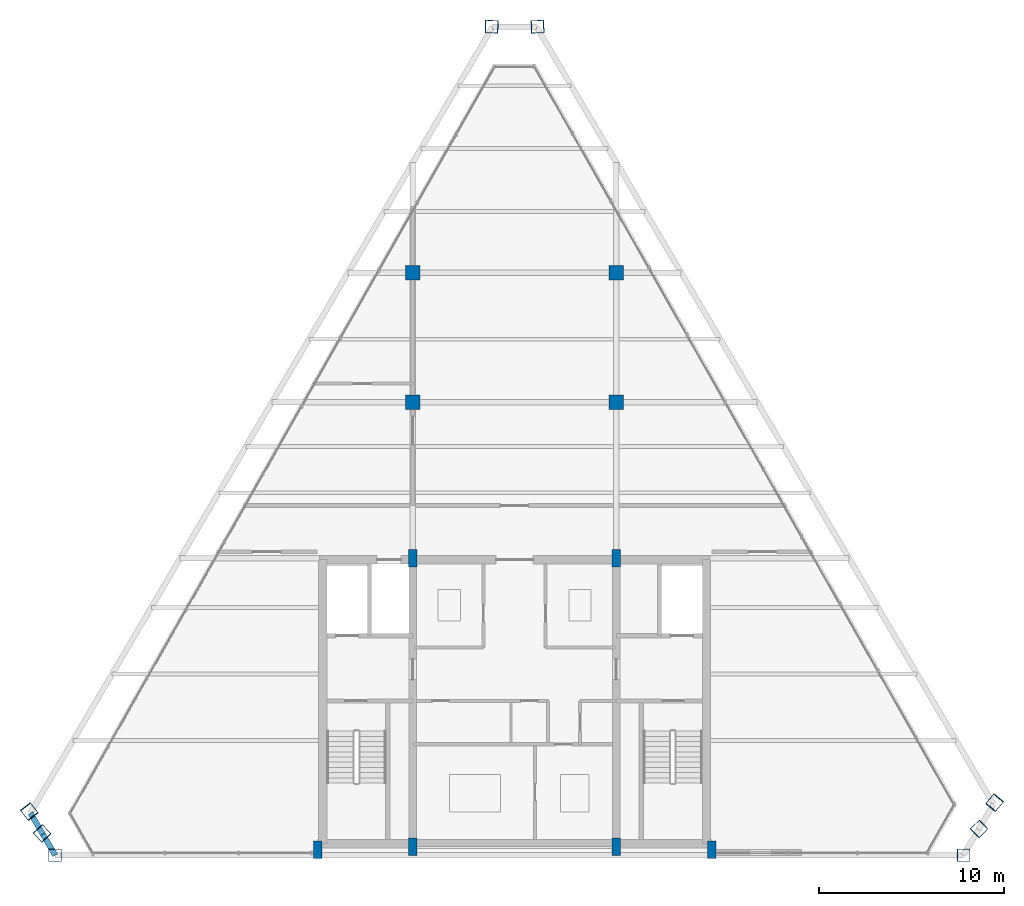
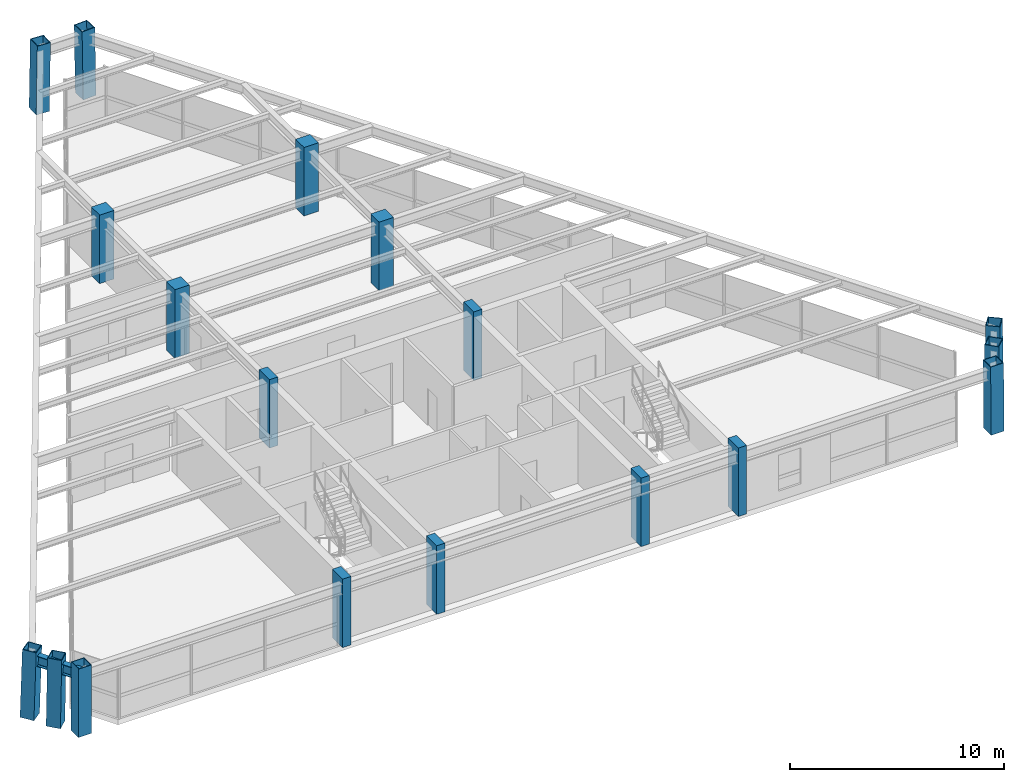
# One storey, part 1 of 12: 18 columns, 2 beams.
"""IFC4 building model written with IfcOpenShell, lengths in metres."""

from ifc_helpers import new_model, si_unit, direction, frame, origin, origin_2d, place, context, subcontext, project, spatial, rectangle, hollow_rectangle, i_section, extrude, source, transform, mapped, material, material_profile, profile_set, type_object, element, save


model = new_model("IFC4")

# Units and contexts
model_context = context("Model", 3, precision=1e-05, world=origin(), true_north=direction((0.0, 1.0)))
body_context = subcontext(model_context, "Body", "Model", "MODEL_VIEW")
ifc_project = project(units=[si_unit("LENGTHUNIT", "METRE"), si_unit("AREAUNIT", "SQUARE_METRE"), si_unit("VOLUMEUNIT", "CUBIC_METRE"), si_unit("PLANEANGLEUNIT", "RADIAN"), si_unit("MASSUNIT", "GRAM", prefix="KILO")], contexts=[model_context])

# Site, building, storey
site_placement = place(None, origin())
site = spatial("IfcSite", under=ifc_project, at=site_placement, CompositionType="ELEMENT")
building_placement = place(site_placement, origin())
building = spatial("IfcBuilding", under=site, at=building_placement, Name="Varnakhor Terracotta Tower", CompositionType="ELEMENT")
storey_placement = place(building_placement, frame((0.0, 0.0, 309.699951171875)))
storey = spatial("IfcBuildingStorey", under=building, at=storey_placement, Name="L81 Crown", CompositionType="ELEMENT", Elevation=309.699951171875)

# Columns
ifc_material_1 = material(Name="Concrete C50/60", Category="concrete")
ifc_material_profile_1 = material_profile(ifc_material_1, rectangle(XDim=0.449951171875, YDim=0.949951171875, at=origin_2d()), Name="RC PILASTER 950x450")
ifc_profile_set_1 = profile_set([ifc_material_profile_1], Name="Concrete C50/60")
column_type_1 = type_object("IfcColumnType", Name="COL-PIL-950x450", PredefinedType="PILASTER", material=ifc_profile_set_1)
shared_shape_1 = source(origin(), body_context, "Body", "SweptSolid", [
    extrude(rectangle(XDim=0.449951171875, YDim=0.949951171875, at=origin_2d()), origin(), (0.0, 0.0, 1.0), 3.900146484375),
])
for number, where, z_axis, x_axis, name in (
    (1, (-10.64990234375, 0.300048828125, 0.0), (0.0, 0.0, 1.0), (1.0, 0.0, 0.0), "L81 Crown Core Pilaster CP1"),
    (2, (-5.5, 0.449951171875, 0.0), (0.0, 0.0, 1.0), (1.0, 0.0, 0.0), "L81 Crown Core Pilaster CP2"),
    (3, (5.5, 0.449951171875, 0.0), (0.0, 0.0, 1.0), (1.0, 0.0, 0.0), "L81 Crown Core Pilaster CP3"),
    (4, (10.64990234375, 0.300048828125, 0.0), (0.0, 0.0, 1.0), (1.0, 0.0, 0.0), "L81 Crown Core Pilaster CP4"),
    (5, (-5.5, 16.050048828125, 0.0), (0.0, 0.0, 1.0), (1.0, 0.0, 0.0), "L81 Crown Core Pilaster CP5"),
    (6, (5.5, 16.050048828125, 0.0), (0.0, 0.0, 1.0), (1.0, 0.0, 0.0), "L81 Crown Core Pilaster CP6"),
):
    element("IfcColumn", number, at=place(storey_placement, frame(where, z_axis=z_axis, x_axis=x_axis)), inside=storey, type_object=column_type_1, Name=name, PredefinedType="PILASTER", context=body_context, shape_type="MappedRepresentation", body=[
        mapped(shared_shape_1, transform((0.0, 0.0, 0.0), scale=1.0)),
    ])
ifc_material_2 = material(Name="Steel S355", Category="steel")
ifc_material_profile_2 = material_profile(ifc_material_2, hollow_rectangle(XDim=0.699951171875, YDim=0.699951171875, WallThickness=0.035888671875, at=origin_2d()), Name="BOX 700x700x36")
ifc_profile_set_2 = profile_set([ifc_material_profile_2], Name="Steel S355")
column_type_2 = type_object("IfcColumnType", Name="COL-MEGA-700", PredefinedType="COLUMN", material=ifc_profile_set_2)
shared_shape_2 = source(origin(), body_context, "Body", "SweptSolid", [
    extrude(hollow_rectangle(XDim=0.699951171875, YDim=0.699951171875, WallThickness=0.035888671875, at=origin_2d()), origin(), (0.0, 0.0, 1.0), 3.891357421875),
])
for number, where, z_axis, x_axis, name in (
    (7, (-24.847412109375, 0.0, 0.00439453125), (0.003576111144, 0.0, 0.999993605694), (0.0, 1.0, 0.0), "L81 Crown Perimeter Mega-Column M1"),
    (8, (24.27880859375, 0.0, 0.00439453125), (-0.004579913068, 0.0, 0.999989512143), (0.0, -1.0, 0.0), "L81 Crown Perimeter Mega-Column M2"),
):
    element("IfcColumn", number, at=place(storey_placement, frame(where, z_axis=z_axis, x_axis=x_axis)), inside=storey, type_object=column_type_2, Name=name, PredefinedType="COLUMN", context=body_context, shape_type="MappedRepresentation", body=[
        mapped(shared_shape_2, transform((0.0, 0.0, 0.0), scale=1.0)),
    ])
shared_shape_3 = source(origin(), body_context, "Body", "SweptSolid", [
    extrude(hollow_rectangle(XDim=0.699951171875, YDim=0.699951171875, WallThickness=0.035888671875, at=origin_2d()), origin(), (0.0, 0.0, 1.0), 3.891845703125),
])
for number, where, z_axis, x_axis, name in (
    (9, (25.120361328125, 1.42822265625, 0.00439453125), (-0.011793387664, -0.011354272166, 0.999865989276), (0.693568046127, -0.720391119734, 0.0), "L81 Crown Perimeter Mega-Column M3"),
    (10, (1.249267578125, 44.789794921875, 0.00439453125), (-0.01612187451, -0.000564579263, 0.99986987474), (0.034998001714, -0.999387382288, 0.0), "L81 Crown Perimeter Mega-Column M5"),
    (11, (-1.249267578125, 44.789794921875, 0.00439453125), (0.01612187451, -0.000564579263, 0.99986987474), (0.034998001714, 0.999387382288, 0.0), "L81 Crown Perimeter Mega-Column M6"),
    (12, (-25.546875, 1.18701171875, 0.00439453125), (0.011040632316, -0.011981595297, 0.999867264097), (0.73539361657, 0.677640191185, 0.0), "L81 Crown Perimeter Mega-Column M8"),
):
    element("IfcColumn", number, at=place(storey_placement, frame(where, z_axis=z_axis, x_axis=x_axis)), inside=storey, type_object=column_type_2, Name=name, PredefinedType="COLUMN", context=body_context, shape_type="MappedRepresentation", body=[
        mapped(shared_shape_3, transform((0.0, 0.0, 0.0), scale=1.0)),
    ])
shared_shape_4 = source(origin(), body_context, "Body", "SweptSolid", [
    extrude(hollow_rectangle(XDim=0.699951171875, YDim=0.699951171875, WallThickness=0.035888671875, at=origin_2d()), origin(), (0.0, 0.0, 1.0), 3.89306640625),
])
for number, where, z_axis, x_axis, name in (
    (13, (25.962158203125, 2.8564453125, 0.00439453125), (-0.019001616192, -0.022764312468, 0.999560265647), (0.767700973976, -0.640808251005, 0.0), "L81 Crown Perimeter Mega-Column M4"),
    (14, (-26.246337890625, 2.3740234375, 0.00439453125), (0.018499610224, -0.023892716933, 0.999543346984), (0.790691300959, 0.612215049299, 0.0), "L81 Crown Perimeter Mega-Column M7"),
):
    element("IfcColumn", number, at=place(storey_placement, frame(where, z_axis=z_axis, x_axis=x_axis)), inside=storey, type_object=column_type_2, Name=name, PredefinedType="COLUMN", context=body_context, shape_type="MappedRepresentation", body=[
        mapped(shared_shape_4, transform((0.0, 0.0, 0.0), scale=1.0)),
    ])
ifc_material_profile_3 = material_profile(ifc_material_1, rectangle(XDim=0.780029296875, YDim=0.780029296875, at=origin_2d()), Name="RC 780x780")
ifc_profile_set_3 = profile_set([ifc_material_profile_3], Name="Concrete C50/60")
column_type_3 = type_object("IfcColumnType", Name="COL-RC-780", PredefinedType="COLUMN", material=ifc_profile_set_3)
shared_shape_5 = source(origin(), body_context, "Body", "SweptSolid", [
    extrude(rectangle(XDim=0.780029296875, YDim=0.780029296875, at=origin_2d()), origin(), (0.0, 0.0, 1.0), 3.900146484375),
])
for number, where, z_axis, x_axis, name in (
    (15, (-5.5, 24.5, 0.0), (0.0, 0.0, 1.0), (1.0, 0.0, 0.0), "L81 Crown Interior Tower Column IC1"),
    (16, (5.5, 24.5, 0.0), (0.0, 0.0, 1.0), (1.0, 0.0, 0.0), "L81 Crown Interior Tower Column IC2"),
    (17, (-5.5, 31.5, 0.0), (0.0, 0.0, 1.0), (1.0, 0.0, 0.0), "L81 Crown Interior Tower Column IC3"),
    (18, (5.5, 31.5, 0.0), (0.0, 0.0, 1.0), (1.0, 0.0, 0.0), "L81 Crown Interior Tower Column IC4"),
):
    element("IfcColumn", number, at=place(storey_placement, frame(where, z_axis=z_axis, x_axis=x_axis)), inside=storey, type_object=column_type_3, Name=name, PredefinedType="COLUMN", context=body_context, shape_type="MappedRepresentation", body=[
        mapped(shared_shape_5, transform((0.0, 0.0, 0.0), scale=1.0)),
    ])

# Beams
ifc_material_profile_4 = material_profile(ifc_material_2, i_section(OverallWidth=0.300048828125, OverallDepth=0.60009765625, WebThickness=0.015380859375, FlangeThickness=0.030029296875, FilletRadius=0.01806640625, at=origin_2d()), Name="HEB600")
ifc_profile_set_4 = profile_set([ifc_material_profile_4], Name="Steel S355")
beam_type = type_object("IfcBeamType", Name="BM-HEB600", PredefinedType="BEAM", material=ifc_profile_set_4)
shared_shape_6 = source(origin(), body_context, "Body", "SweptSolid", [
    extrude(i_section(OverallWidth=0.300048828125, OverallDepth=0.60009765625, WebThickness=0.015380859375, FlangeThickness=0.030029296875, FilletRadius=0.01806640625, at=origin_2d()), origin(), (0.0, 0.0, 1.0), 1.32275390625),
])
for number, where, z_axis, x_axis, name in (
    (19, (-26.17431640625, 2.28076171875, 3.300048828125), (0.50679427558, -0.862067028855, 0.0), (0.862067028855, 0.50679427558, 0.0), "L81 Crown Perimeter Spandrel 7"),
    (20, (-25.50390625, 1.140380859375, 3.300048828125), (0.50679427558, -0.862067028855, 0.0), (0.862067028855, 0.50679427558, 0.0), "L81 Crown Perimeter Spandrel 8"),
):
    element("IfcBeam", number, at=place(storey_placement, frame(where, z_axis=z_axis, x_axis=x_axis)), inside=storey, type_object=beam_type, Name=name, PredefinedType="BEAM", context=body_context, shape_type="MappedRepresentation", body=[
        mapped(shared_shape_6, transform((0.0, 0.0, 0.0), scale=1.0)),
    ])

save(model, "model.ifc")
